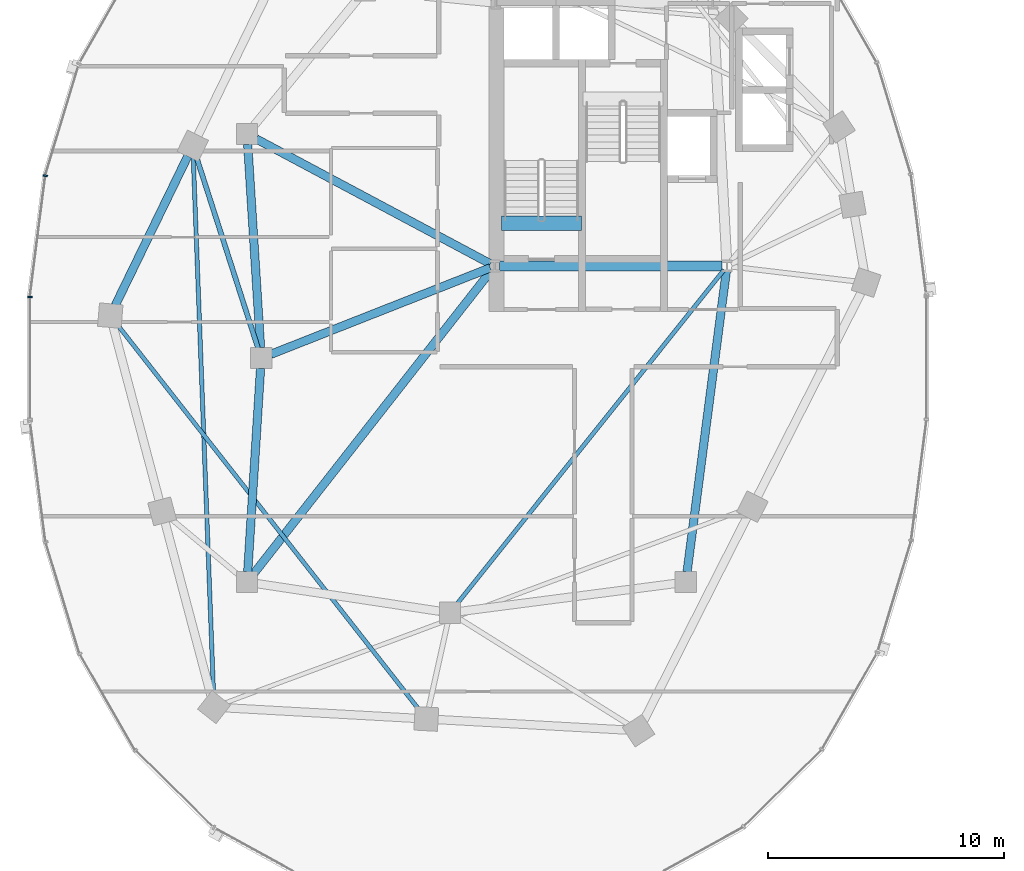
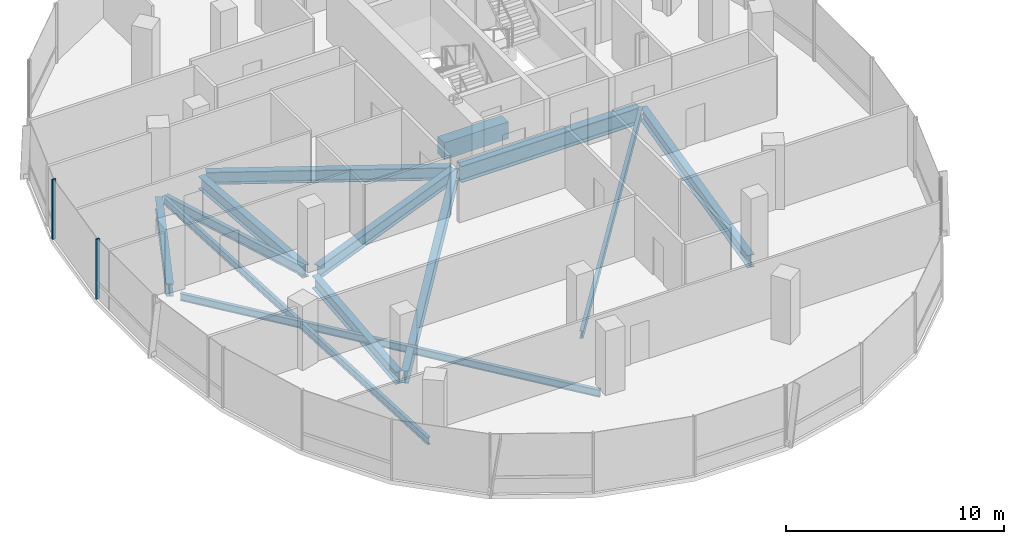
# One storey, part 3 of 23: 13 beams, 2 members, 1 element without a shape of its own.
"""IFC4 building model written with IfcOpenShell, lengths in metres."""

from ifc_helpers import new_model, si_unit, direction, frame, origin, origin_2d, place, context, subcontext, project, spatial, rectangle, i_section, extrude, material, material_profile, profile_set, type_object, element, aggregate, save


model = new_model("IFC4")

# Units and contexts
model_context = context("Model", 3, precision=1e-05, world=origin(), true_north=direction((0.0, 1.0)))
body_context = subcontext(model_context, "Body", "Model", "MODEL_VIEW")
ifc_project = project(units=[si_unit("LENGTHUNIT", "METRE"), si_unit("AREAUNIT", "SQUARE_METRE"), si_unit("VOLUMEUNIT", "CUBIC_METRE"), si_unit("PLANEANGLEUNIT", "RADIAN"), si_unit("MASSUNIT", "GRAM", prefix="KILO"), si_unit("THERMODYNAMICTEMPERATUREUNIT", "KELVIN"), si_unit("POWERUNIT", "WATT")], contexts=[model_context])

# Site, building, storey
site_placement = place(None, origin())
site = spatial("IfcSite", under=ifc_project, at=site_placement, CompositionType="ELEMENT")
building_placement = place(site_placement, origin())
building = spatial("IfcBuilding", under=site, at=building_placement, Name="Cundina Bronze Exchange", CompositionType="ELEMENT")
storey_placement = place(building_placement, frame((0.0, 0.0, 172.800048828125)))
storey = spatial("IfcBuildingStorey", under=building, at=storey_placement, Name="L45", CompositionType="ELEMENT", Elevation=172.800048828125)

# Beams
ifc_material_1 = material(Name="Concrete C60/75", Category="concrete")
ifc_material_profile_1 = material_profile(ifc_material_1, rectangle(XDim=0.60009765625, YDim=0.949951171875, at=origin_2d()), Name="RC600X950", Category="concrete")
ifc_profile_set_1 = profile_set([ifc_material_profile_1], Name="Concrete C60/75")
beam_type_1 = type_object("IfcBeamType", Name="BM-COUP-RC950", PredefinedType="LINTEL", material=ifc_profile_set_1)
beam_1_placement = place(storey_placement, frame((-31.02001953125, 5.719970703125, -0.47509765625), z_axis=(1.0, 0.0, 0.0), x_axis=(0.0, 1.0, 0.0)))
element("IfcBeam", 1, at=beam_1_placement, inside=storey, type_object=beam_type_1, Name="L45 Stair W1 Landing Header Beam", PredefinedType="LINTEL", context=body_context, shape_type="SweptSolid", body=[
    extrude(rectangle(XDim=0.60009765625, YDim=0.949951171875, at=origin_2d()), origin(), (0.0, 0.0, 1.0), 3.39990234375),
])
ifc_material_2 = material(Name="Steel ASTM A992 Grade 50", Category="steel")
ifc_material_profile_2 = material_profile(ifc_material_2, i_section(OverallWidth=0.2119140625, OverallDepth=0.5439453125, WebThickness=0.01318359375, FlangeThickness=0.021240234375, FilletRadius=0.013916015625, at=origin_2d()), Name="W21X83", Category="steel")
ifc_profile_set_2 = profile_set([ifc_material_profile_2], Name="Steel ASTM A992 Grade 50")
beam_type_2 = type_object("IfcBeamType", Name="BM-FLR-W21A", PredefinedType="BEAM", material=ifc_profile_set_2)
beam_2_placement = place(storey_placement, frame((-41.334228515625, 0.4169921875, -0.511962890625), z_axis=(-0.30669751302, 0.951807036908, 0.0), x_axis=(-0.951807036908, -0.30669751302, 0.0)))
element("IfcBeam", 2, at=beam_2_placement, inside=storey, type_object=beam_type_2, Name="L45 Leg W Radial Floor Beam 07", PredefinedType="BEAM", context=body_context, shape_type="SweptSolid", body=[
    extrude(i_section(OverallWidth=0.2119140625, OverallDepth=0.5439453125, WebThickness=0.01318359375, FlangeThickness=0.021240234375, FilletRadius=0.013916015625, at=origin_2d()), origin(), (0.0, 0.0, 1.0), 8.529541015625),
])
ifc_material_profile_3 = material_profile(ifc_material_2, i_section(OverallWidth=0.178955078125, OverallDepth=0.409912109375, WebThickness=0.0087890625, FlangeThickness=0.014404296875, FilletRadius=0.010986328125, at=origin_2d()), Name="W16X45", Category="steel")
ifc_profile_set_3 = profile_set([ifc_material_profile_3], Name="Steel ASTM A992 Grade 50")
beam_type_3 = type_object("IfcBeamType", Name="BM-JST-W16", PredefinedType="JOIST", material=ifc_profile_set_3)
beam_3_placement = place(storey_placement, frame((-21.577392578125, 3.740478515625, -0.445068359375), z_axis=(-0.624370675223, -0.781128196854, 0.0), x_axis=(0.781128196854, -0.624370675223, 0.0)))
element("IfcBeam", 3, at=beam_3_placement, inside=storey, type_object=beam_type_3, Name="L45 W Interior Core-to-Ring Joist 2", PredefinedType="JOIST", context=body_context, shape_type="SweptSolid", body=[
    extrude(i_section(OverallWidth=0.178955078125, OverallDepth=0.409912109375, WebThickness=0.0087890625, FlangeThickness=0.014404296875, FilletRadius=0.010986328125, at=origin_2d()), origin(), (0.0, 0.0, 1.0), 18.177001953125),
])
beam_4_placement = place(storey_placement, frame((-44.08154296875, 8.51220703125, -0.445068359375), z_axis=(0.037784933381, -0.999285894431, 0.0), x_axis=(0.999285894431, 0.037784933381, 0.0)))
element("IfcBeam", 4, at=beam_4_placement, inside=storey, type_object=beam_type_3, Name="L45 Leg W Lobe Floor Joist 07-10", PredefinedType="JOIST", context=body_context, shape_type="SweptSolid", body=[
    extrude(i_section(OverallWidth=0.178955078125, OverallDepth=0.409912109375, WebThickness=0.0087890625, FlangeThickness=0.014404296875, FilletRadius=0.010986328125, at=origin_2d()), origin(), (0.0, 0.0, 1.0), 22.8408203125),
])
beam_5_placement = place(storey_placement, frame((-47.299072265625, 1.416015625, -0.445068359375), z_axis=(0.616801484103, -0.787118751656, 0.0), x_axis=(0.787118751656, 0.616801484103, 0.0)))
element("IfcBeam", 5, at=beam_5_placement, inside=storey, type_object=beam_type_3, Name="L45 Leg W Lobe Floor Joist 08-11", PredefinedType="JOIST", context=body_context, shape_type="SweptSolid", body=[
    extrude(i_section(OverallWidth=0.178955078125, OverallDepth=0.409912109375, WebThickness=0.0087890625, FlangeThickness=0.014404296875, FilletRadius=0.010986328125, at=origin_2d()), origin(), (0.0, 0.0, 1.0), 20.7490234375),
])
ifc_material_profile_4 = material_profile(ifc_material_2, i_section(OverallWidth=0.35498046875, OverallDepth=0.695068359375, WebThickness=0.015380859375, FlangeThickness=0.02490234375, FilletRadius=0.01806640625, at=origin_2d()), Name="W27X146", Category="steel")
ifc_profile_set_4 = profile_set([ifc_material_profile_4], Name="Steel ASTM A992 Grade 50")
beam_type_4 = type_object("IfcBeamType", Name="BM-RING-W27", PredefinedType="USERDEFINED", material=ifc_profile_set_4)
for number, where, z_axis, x_axis, name in (
    (6, (-41.7724609375, 9.06298828125, -0.587646484375), (0.063046519736, -0.998010589297, 0.0), (0.998010589297, 0.063046519736, 0.0), "L45 W Inner Structural Ring Girder 03"),
    (7, (-41.2275390625, -0.43701171875, -0.587646484375), (-0.063046519736, -0.998010589297, 0.0), (0.998010589297, -0.063046519736, 0.0), "L45 W Inner Structural Ring Girder 04"),
):
    element("IfcBeam", number, at=place(storey_placement, frame(where, z_axis=z_axis, x_axis=x_axis)), inside=storey, type_object=beam_type_4, Name=name, ObjectType="GIRDER", PredefinedType="USERDEFINED", context=body_context, shape_type="SweptSolid", body=[
        extrude(i_section(OverallWidth=0.35498046875, OverallDepth=0.695068359375, WebThickness=0.015380859375, FlangeThickness=0.02490234375, FilletRadius=0.01806640625, at=origin_2d()), origin(), (0.0, 0.0, 1.0), 8.64306640625),
    ])
beam_6_placement = place(storey_placement, frame((-23.143310546875, -9.065673828125, -0.587646484375), z_axis=(0.129507030047, 0.991578503785, 0.0), x_axis=(-0.991578503785, 0.129507030047, 0.0)))
element("IfcBeam", 8, at=beam_6_placement, inside=storey, type_object=beam_type_4, Name="L45 W Inner Structural Ring Girder 07", ObjectType="GIRDER", PredefinedType="USERDEFINED", context=body_context, shape_type="SweptSolid", body=[
    extrude(i_section(OverallWidth=0.35498046875, OverallDepth=0.695068359375, WebThickness=0.015380859375, FlangeThickness=0.02490234375, FilletRadius=0.01806640625, at=origin_2d()), origin(), (0.0, 0.0, 1.0), 12.871826171875),
])
beam_7_placement = place(storey_placement, frame((-31.48974609375, 3.8251953125, -0.587646484375), z_axis=(-0.930405617189, -0.36653156413, 0.0), x_axis=(0.36653156413, -0.930405617189, 0.0)))
element("IfcBeam", 9, at=beam_7_placement, inside=storey, type_object=beam_type_4, Name="L45 W Core-to-Waist Tie Beam 1", ObjectType="GIRDER", PredefinedType="USERDEFINED", context=body_context, shape_type="SweptSolid", body=[
    extrude(i_section(OverallWidth=0.35498046875, OverallDepth=0.695068359375, WebThickness=0.015380859375, FlangeThickness=0.02490234375, FilletRadius=0.01806640625, at=origin_2d()), origin(), (0.0, 0.0, 1.0), 9.99853515625),
])
beam_8_placement = place(storey_placement, frame((-31.47998046875, 3.99609375, -0.587646484375), z_axis=(-0.88235534237, 0.470583733028, 0.0), x_axis=(-0.470583733028, -0.88235534237, 0.0)))
element("IfcBeam", 10, at=beam_8_placement, inside=storey, type_object=beam_type_4, Name="L45 W Core-to-Waist Tie Beam 2", ObjectType="GIRDER", PredefinedType="USERDEFINED", context=body_context, shape_type="SweptSolid", body=[
    extrude(i_section(OverallWidth=0.35498046875, OverallDepth=0.695068359375, WebThickness=0.015380859375, FlangeThickness=0.02490234375, FilletRadius=0.01806640625, at=origin_2d()), origin(), (0.0, 0.0, 1.0), 11.258056640625),
])
beam_9_placement = place(storey_placement, frame((-31.42578125, 3.739501953125, -0.587646484375), z_axis=(-0.616779109924, -0.787136283982, 0.0), x_axis=(0.787136283982, -0.616779109924, 0.0)))
element("IfcBeam", 11, at=beam_9_placement, inside=storey, type_object=beam_type_4, Name="L45 W Core-to-Waist Tie Beam 3", ObjectType="GIRDER", PredefinedType="USERDEFINED", context=body_context, shape_type="SweptSolid", body=[
    extrude(i_section(OverallWidth=0.35498046875, OverallDepth=0.695068359375, WebThickness=0.015380859375, FlangeThickness=0.02490234375, FilletRadius=0.01806640625, at=origin_2d()), origin(), (0.0, 0.0, 1.0), 16.3818359375),
])
beam_10_placement = place(storey_placement, frame((-44.3134765625, 8.56103515625, -0.587646484375), z_axis=(-0.437196998825, -0.89936576776, 0.0), x_axis=(0.89936576776, -0.437196998825, 0.0)))
element("IfcBeam", 12, at=beam_10_placement, inside=storey, type_object=beam_type_4, Name="L45 W Perimeter Ring Girder 07", ObjectType="GIRDER", PredefinedType="USERDEFINED", context=body_context, shape_type="SweptSolid", body=[
    extrude(i_section(OverallWidth=0.35498046875, OverallDepth=0.695068359375, WebThickness=0.015380859375, FlangeThickness=0.02490234375, FilletRadius=0.01806640625, at=origin_2d()), origin(), (0.0, 0.0, 1.0), 7.029541015625),
])
ifc_material_profile_5 = material_profile(ifc_material_2, i_section(OverallWidth=0.41796875, OverallDepth=0.927001953125, WebThickness=0.019287109375, FlangeThickness=0.031982421875, FilletRadius=0.02392578125, at=origin_2d()), Name="W36X231", Category="steel")
ifc_profile_set_5 = profile_set([ifc_material_profile_5], Name="Steel ASTM A992 Grade 50")
beam_type_5 = type_object("IfcBeamType", Name="BM-WRN-W36B", PredefinedType="USERDEFINED", material=ifc_profile_set_5)
beam_11_placement = place(storey_placement, frame((-31.095947265625, 3.89990234375, -0.70361328125), z_axis=(1.0, 0.0, 0.0), x_axis=(0.0, 1.0, 0.0)))
element("IfcBeam", 13, at=beam_11_placement, inside=storey, type_object=beam_type_5, Name="L45 W Core Perimeter Tie Girder 1", ObjectType="GIRDER", PredefinedType="USERDEFINED", context=body_context, shape_type="SweptSolid", body=[
    extrude(i_section(OverallWidth=0.41796875, OverallDepth=0.927001953125, WebThickness=0.019287109375, FlangeThickness=0.031982421875, FilletRadius=0.02392578125, at=origin_2d()), origin(), (0.0, 0.0, 1.0), 9.44189453125),
])

# Curtain wall, members
ifc_material_3 = material(Name="Anodised Bronze Aluminium 6063-T6", Category="aluminium")
curtain_wall_type = type_object("IfcCurtainWallType", Name="CWS-WST-PIN", PredefinedType="NOTDEFINED", material=ifc_material_3)
curtain_wall_placement = place(storey_placement, origin())
curtain_wall = element("IfcCurtainWall", 14, at=curtain_wall_placement, inside=storey, type_object=curtain_wall_type, Name="L45 CW-04 Curtain Wall Run CWR-L45-W2", PredefinedType="NOTDEFINED")
ifc_material_profile_6 = material_profile(ifc_material_3, rectangle(XDim=0.070068359375, YDim=0.18994140625, at=origin_2d()), Name="AL70X190", Category="aluminium")
ifc_profile_set_6 = profile_set([ifc_material_profile_6], Name="Anodised Bronze Aluminium 6063-T6")
member_type = type_object("IfcMemberType", Name="CWM-MUL-190", PredefinedType="MULLION", material=ifc_profile_set_6)
member_1_placement = place(storey_placement, frame((-50.357177734375, 7.731689453125, 0.0), z_axis=(0.0, 0.0, 1.0), x_axis=(-0.126545236492, -0.991960837494, 0.0)))
member_1 = element("IfcMember", 15, at=member_1_placement, type_object=member_type, Name="CW-04 Mullion 6", PredefinedType="MULLION", context=body_context, shape_type="SweptSolid", body=[
    extrude(rectangle(XDim=0.070068359375, YDim=0.18994140625, at=origin_2d()), origin(), (0.0, 0.0, 1.0), 3.35986328125),
])
member_2_placement = place(storey_placement, frame((-51.007080078125, 2.593017578125, 0.0), z_axis=(0.0, 0.0, 1.0), x_axis=(0.0, -1.0, 0.0)))
member_2 = element("IfcMember", 16, at=member_2_placement, type_object=member_type, Name="CW-04 Mullion 7", PredefinedType="MULLION", context=body_context, shape_type="SweptSolid", body=[
    extrude(rectangle(XDim=0.070068359375, YDim=0.18994140625, at=origin_2d()), origin(), (0.0, 0.0, 1.0), 3.35986328125),
])
aggregate(curtain_wall, [member_1, member_2])

save(model, "model.ifc")
